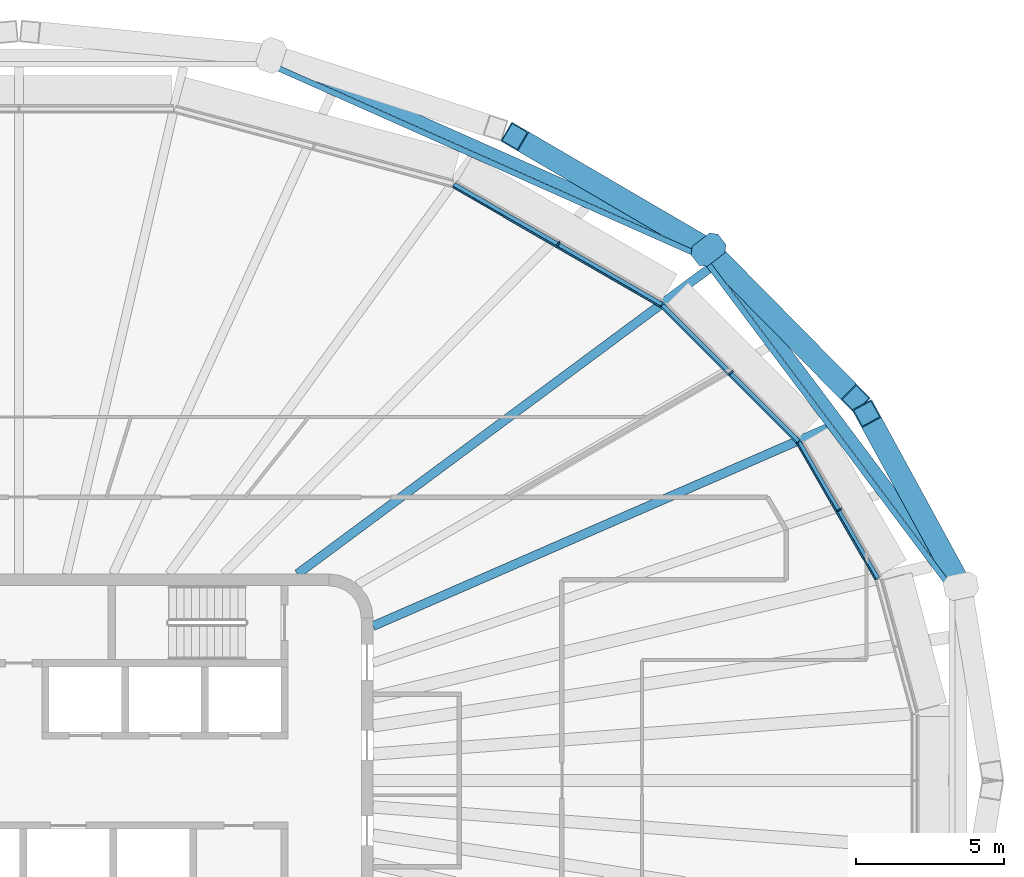
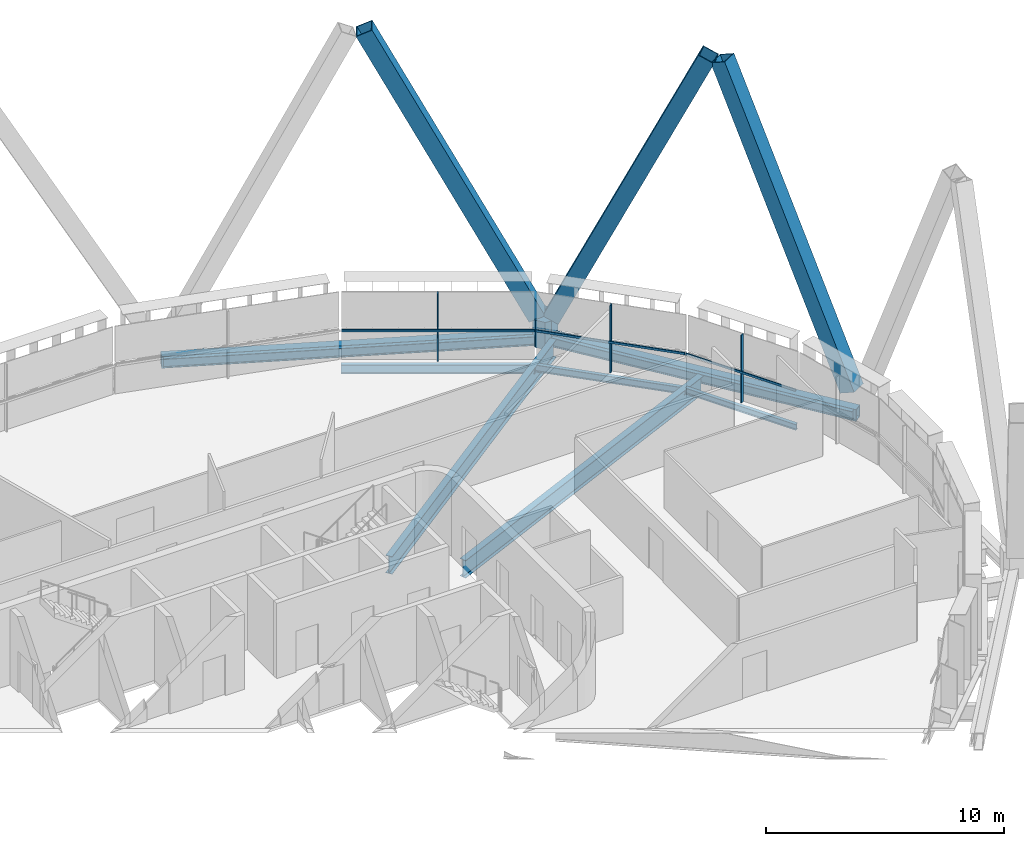
# One storey, part 10 of 22: 10 members, 9 beams, 3 elements without a shape of their own.
"""IFC4 building model written with IfcOpenShell, lengths in metres."""

from ifc_helpers import new_model, si_unit, direction, frame, origin, origin_2d, place, context, subcontext, project, spatial, polyline, rectangle, hollow_rectangle, i_section, outline, extrude, material, layer, layer_set, material_profile, profile_set, type_object, element, aggregate, save


model = new_model("IFC4")

# Units and contexts
model_context = context("Model", 3, precision=1e-05, world=origin(), true_north=direction((0.0, 1.0)))
body_context = subcontext(model_context, "Body", "Model", "MODEL_VIEW")
ifc_project = project(units=[si_unit("LENGTHUNIT", "METRE"), si_unit("AREAUNIT", "SQUARE_METRE"), si_unit("VOLUMEUNIT", "CUBIC_METRE"), si_unit("PLANEANGLEUNIT", "RADIAN"), si_unit("MASSUNIT", "GRAM", prefix="KILO")], contexts=[model_context])

# Site, building, storey
site_placement = place(None, origin())
site = spatial("IfcSite", under=ifc_project, at=site_placement, CompositionType="ELEMENT")
building_placement = place(site_placement, origin())
building = spatial("IfcBuilding", under=site, at=building_placement, Name="Sahrelin Media Tower", CompositionType="ELEMENT")
storey_placement = place(building_placement, frame((0.0, 0.0, 233.60009765625)))
storey = spatial("IfcBuildingStorey", under=building, at=storey_placement, Name="L50", CompositionType="ELEMENT", Elevation=233.60009765625)

# Members
ifc_material_1 = material(Name="Steel S460", Category="steel")
ifc_material_profile_1 = material_profile(ifc_material_1, hollow_rectangle(XDim=0.75, YDim=0.75, WallThickness=0.0400390625, at=origin_2d()), Name="Diagrid diagonal DG6")
ifc_profile_set_1 = profile_set([ifc_material_profile_1], Name="Steel S460")
member_type_1 = type_object("IfcMemberType", Name="Diagrid diagonal DG6", PredefinedType="BRACE", material=ifc_profile_set_1)
member_1_placement = place(storey_placement, frame((31.772216796875, 6.850341796875, 0.699951171875), z_axis=(-0.191358854383, 0.350523060937, 0.916796254683), x_axis=(-0.877722398999, -0.47916947972, 0.0)))
element("IfcMember", 1, at=member_1_placement, inside=storey, type_object=member_type_1, Name="Diagrid diagonal D11-01", PredefinedType="BRACE", context=body_context, shape_type="SweptSolid", body=[
    extrude(hollow_rectangle(XDim=0.75, YDim=0.75, WallThickness=0.0400390625, at=origin_2d()), origin(), (0.0, 0.0, 1.0), 15.9248046875),
])
member_2_placement = place(storey_placement, frame((23.59375, 17.75341796875, 0.699951171875), z_axis=(0.295554032604, -0.299619341613, 0.90712516443), x_axis=(0.711920039863, 0.70226053345, 0.0)))
element("IfcMember", 2, at=member_2_placement, inside=storey, type_object=member_type_1, Name="Diagrid diagonal D11-02", PredefinedType="BRACE", context=body_context, shape_type="SweptSolid", body=[
    extrude(hollow_rectangle(XDim=0.75, YDim=0.75, WallThickness=0.0400390625, at=origin_2d()), origin(), (0.0, 0.0, 1.0), 16.0947265625),
])
member_3_placement = place(storey_placement, frame((23.065185546875, 18.159912109375, 0.699951171875), z_axis=(-0.384260974099, 0.22458774364, 0.895490842606), x_axis=(-0.504600914785, -0.863352718649, 0.0)))
element("IfcMember", 3, at=member_3_placement, inside=storey, type_object=member_type_1, Name="Diagrid diagonal D11-03", PredefinedType="BRACE", context=body_context, shape_type="SweptSolid", body=[
    extrude(hollow_rectangle(XDim=0.75, YDim=0.75, WallThickness=0.0400390625, at=origin_2d()), origin(), (0.0, 0.0, 1.0), 16.3037109375),
])
ifc_material_profile_2 = material_profile(ifc_material_1, outline(polyline([(0.375, -0.425048828125), (0.574951171875, -0.22509765625), (0.574951171875, 0.22509765625), (0.375, 0.425048828125), (-0.375, 0.425048828125), (-0.574951171875, 0.22509765625), (-0.574951171875, -0.22509765625), (-0.375, -0.425048828125), (0.375, -0.425048828125)])), Name="Diagrid node block 1150")
ifc_profile_set_2 = profile_set([ifc_material_profile_2], Name="Steel S460")
member_type_2 = type_object("IfcMemberType", Name="Diagrid node block 1150", PredefinedType="USERDEFINED", material=ifc_profile_set_2)
member_4_placement = place(storey_placement, frame((23.36572265625, 17.984619140625, -0.7001953125), z_axis=(0.0, 0.0, 1.0), x_axis=(0.792445093645, 0.609943254376, 0.0)))
element("IfcMember", 4, at=member_4_placement, inside=storey, type_object=member_type_2, Name="Diagrid node N11-01", ObjectType="NODE", PredefinedType="USERDEFINED", context=body_context, shape_type="SweptSolid", body=[
    extrude(outline(polyline([(0.375, -0.425048828125), (0.574951171875, -0.22509765625), (0.574951171875, 0.22509765625), (0.375, 0.425048828125), (-0.375, 0.425048828125), (-0.574951171875, 0.22509765625), (-0.574951171875, -0.22509765625), (-0.375, -0.425048828125), (0.375, -0.425048828125)])), origin(), (0.0, 0.0, 1.0), 1.400146484375),
])

# Beams
ifc_material_profile_3 = material_profile(ifc_material_1, hollow_rectangle(XDim=0.39990234375, YDim=0.60009765625, WallThickness=0.030029296875, at=origin_2d()), Name="Diagrid ring beam RB1")
ifc_profile_set_3 = profile_set([ifc_material_profile_3], Name="Steel S460")
beam_type_1 = type_object("IfcBeamType", Name="Diagrid ring beam RB1", PredefinedType="BEAM", material=ifc_profile_set_3)
beam_1_placement = place(storey_placement, frame((31.918212890625, 6.582763671875, -0.4501953125), z_axis=(-0.600049330653, 0.799962999634, 0.0), x_axis=(-0.799962999634, -0.600049330653, 0.0)))
element("IfcBeam", 5, at=beam_1_placement, inside=storey, type_object=beam_type_1, Name="Diagrid ring beam RB11-00", PredefinedType="BEAM", context=body_context, shape_type="SweptSolid", body=[
    extrude(hollow_rectangle(XDim=0.39990234375, YDim=0.60009765625, WallThickness=0.030029296875, at=origin_2d()), origin(), (0.0, 0.0, 1.0), 14.2529296875),
])
beam_2_placement = place(storey_placement, frame((23.36572265625, 17.984619140625, -0.4501953125), z_axis=(-0.91383204297, 0.406092350632, 0.0), x_axis=(-0.406092350632, -0.91383204297, 0.0)))
element("IfcBeam", 6, at=beam_2_placement, inside=storey, type_object=beam_type_1, Name="Diagrid ring beam RB11-01", PredefinedType="BEAM", context=body_context, shape_type="SweptSolid", body=[
    extrude(hollow_rectangle(XDim=0.39990234375, YDim=0.60009765625, WallThickness=0.030029296875, at=origin_2d()), origin(), (0.0, 0.0, 1.0), 16.2099609375),
])
ifc_material_2 = material(Name="Steel S355", Category="steel")
ifc_material_profile_4 = material_profile(ifc_material_2, i_section(OverallWidth=0.1650390625, OverallDepth=0.303466796875, WebThickness=0.006103515625, FlangeThickness=0.01025390625, FilletRadius=0.0087890625, at=origin_2d()), Name="UB 305x165x40")
ifc_profile_set_4 = profile_set([ifc_material_profile_4], Name="Steel S355")
beam_type_2 = type_object("IfcBeamType", Name="Edge beam EB2", PredefinedType="BEAM", material=ifc_profile_set_4)
beam_3_placement = place(storey_placement, frame((26.420654296875, 11.463134765625, -0.3017578125), z_axis=(0.500026652407, -0.866010015463, 0.0), x_axis=(0.866010015463, 0.500026652407, 0.0)))
element("IfcBeam", 7, at=beam_3_placement, inside=storey, type_object=beam_type_2, Name="Edge beam L50-23", PredefinedType="BEAM", context=body_context, shape_type="SweptSolid", body=[
    extrude(i_section(OverallWidth=0.1650390625, OverallDepth=0.303466796875, WebThickness=0.006103515625, FlangeThickness=0.01025390625, FilletRadius=0.0087890625, at=origin_2d()), origin(), (0.0, 0.0, 1.0), 5.349365234375),
])
ifc_material_profile_5 = material_profile(ifc_material_2, i_section(OverallWidth=0.17138671875, OverallDepth=0.35498046875, WebThickness=0.00732421875, FlangeThickness=0.011474609375, FilletRadius=0.01025390625, at=origin_2d()), Name="UB 356x171x51")
ifc_profile_set_5 = profile_set([ifc_material_profile_5], Name="Steel S355")
beam_type_3 = type_object("IfcBeamType", Name="Edge beam EB3", PredefinedType="BEAM", material=ifc_profile_set_5)
beam_4_placement = place(storey_placement, frame((21.797119140625, 16.09228515625, -0.32763671875), z_axis=(0.707106781187, -0.707106781187, 0.0), x_axis=(0.707106781187, 0.707106781187, 0.0)))
element("IfcBeam", 8, at=beam_4_placement, inside=storey, type_object=beam_type_3, Name="Edge beam L50-22", PredefinedType="BEAM", context=body_context, shape_type="SweptSolid", body=[
    extrude(i_section(OverallWidth=0.17138671875, OverallDepth=0.35498046875, WebThickness=0.00732421875, FlangeThickness=0.011474609375, FilletRadius=0.01025390625, at=origin_2d()), origin(), (0.0, 0.0, 1.0), 6.51416015625),
])
ifc_material_profile_6 = material_profile(ifc_material_2, i_section(OverallWidth=0.1904296875, OverallDepth=0.45703125, WebThickness=0.009033203125, FlangeThickness=0.014404296875, FilletRadius=0.01025390625, at=origin_2d()), Name="UB 457x191x74")
ifc_profile_set_6 = profile_set([ifc_material_profile_6], Name="Steel S355")
beam_type_4 = type_object("IfcBeamType", Name="Edge beam EB5", PredefinedType="BEAM", material=ifc_profile_set_6)
beam_5_placement = place(storey_placement, frame((14.728515625, 20.177734375, -0.378662109375), z_axis=(0.866022173658, -0.500005594701, 0.0), x_axis=(0.500005594701, 0.866022173658, 0.0)))
element("IfcBeam", 9, at=beam_5_placement, inside=storey, type_object=beam_type_4, Name="Edge beam L50-21", PredefinedType="BEAM", context=body_context, shape_type="SweptSolid", body=[
    extrude(i_section(OverallWidth=0.1904296875, OverallDepth=0.45703125, WebThickness=0.009033203125, FlangeThickness=0.014404296875, FilletRadius=0.01025390625, at=origin_2d()), origin(), (0.0, 0.0, 1.0), 8.1357421875),
])

# Curtain wall, member
ifc_material_3 = material(Name="Champagne anodised aluminium 6063-T6", Category="aluminium")
ifc_layer = layer(ifc_material_3, 0.14990234375)
ifc_layer_set = layer_set([ifc_layer], Name="Tower ribbon curtain wall")
curtain_wall_type = type_object("IfcCurtainWallType", Name="Tower ribbon curtain wall", PredefinedType="NOTDEFINED", material=ifc_layer_set)
curtain_wall_1_placement = place(storey_placement, frame((27.887939453125, 9.2216796875, 0.0), z_axis=(0.0, 0.0, 1.0), x_axis=(1.0, 0.0, 0.0)))
curtain_wall_1 = element("IfcCurtainWall", 10, at=curtain_wall_1_placement, inside=storey, type_object=curtain_wall_type, Name="L50:CW:L50-02", PredefinedType="NOTDEFINED")
ifc_material_profile_7 = material_profile(ifc_material_3, rectangle(XDim=0.06005859375, YDim=0.175048828125, at=origin_2d()), Name="Mullion 60x175")
ifc_profile_set_7 = profile_set([ifc_material_profile_7], Name="Champagne anodised aluminium 6063-T6")
member_type_3 = type_object("IfcMemberType", Name="Mullion 60x175 CW1B", PredefinedType="MULLION", material=ifc_profile_set_7)
member_5_placement = place(storey_placement, frame((27.794921875, 9.168212890625, 0.0), z_axis=(0.0, 0.0, 1.0), x_axis=(-0.500001511499, 0.866024531118, 0.0)))
member_5 = element("IfcMember", 11, at=member_5_placement, type_object=member_type_3, Name="L50:CWM:L50-02", PredefinedType="MULLION", context=body_context, shape_type="SweptSolid", body=[
    extrude(rectangle(XDim=0.06005859375, YDim=0.175048828125, at=origin_2d()), origin(), (0.0, 0.0, 1.0), 3.448486328125),
])

curtain_wall_2_placement = place(storey_placement, frame((24.206298828125, 13.895263671875, 0.0), z_axis=(0.0, 0.0, 1.0), x_axis=(1.0, 0.0, 0.0)))
curtain_wall_2 = element("IfcCurtainWall", 12, at=curtain_wall_2_placement, inside=storey, type_object=curtain_wall_type, Name="L50:CW:L50-03", PredefinedType="NOTDEFINED")
member_6_placement = place(storey_placement, frame((24.130126953125, 13.819091796875, 0.0), z_axis=(0.0, 0.0, 1.0), x_axis=(-0.707099376343, 0.707114185953, 0.0)))
member_6 = element("IfcMember", 13, at=member_6_placement, type_object=member_type_3, Name="L50:CWM:L50-03", PredefinedType="MULLION", context=body_context, shape_type="SweptSolid", body=[
    extrude(rectangle(XDim=0.06005859375, YDim=0.175048828125, at=origin_2d()), origin(), (0.0, 0.0, 1.0), 3.448486328125),
])

curtain_wall_3_placement = place(storey_placement, frame((18.326416015625, 18.273681640625, 0.0), z_axis=(0.0, 0.0, 1.0), x_axis=(1.0, 0.0, 0.0)))
curtain_wall_3 = element("IfcCurtainWall", 14, at=curtain_wall_3_placement, inside=storey, type_object=curtain_wall_type, Name="L50:CW:L50-04", PredefinedType="NOTDEFINED")
member_7_placement = place(storey_placement, frame((18.272705078125, 18.1806640625, 0.0), z_axis=(0.0, 0.0, 1.0), x_axis=(-0.866027149108, 0.499996976998, 0.0)))
member_7 = element("IfcMember", 15, at=member_7_placement, type_object=member_type_3, Name="L50:CWM:L50-04", PredefinedType="MULLION", context=body_context, shape_type="SweptSolid", body=[
    extrude(rectangle(XDim=0.06005859375, YDim=0.175048828125, at=origin_2d()), origin(), (0.0, 0.0, 1.0), 3.448486328125),
])

# Beams
ifc_material_profile_8 = material_profile(ifc_material_2, i_section(OverallWidth=0.30322265625, OverallDepth=0.903076171875, WebThickness=0.01513671875, FlangeThickness=0.020263671875, FilletRadius=0.01904296875, at=origin_2d()), Name="UB 914x305x201")
ifc_profile_set_8 = profile_set([ifc_material_profile_8], Name="Steel S355")
beam_type_5 = type_object("IfcBeamType", Name="Radial primary beam PB11", PredefinedType="BEAM", material=ifc_profile_set_8)
beam_6_placement = place(storey_placement, frame((12.0, 5.231689453125, -0.6015625), z_axis=(0.91667085004, 0.399643031575, 0.0), x_axis=(-0.399643031575, 0.91667085004, 0.0)))
element("IfcBeam", 16, at=beam_6_placement, inside=storey, type_object=beam_type_5, Name="Radial beam L50-03", PredefinedType="BEAM", context=body_context, shape_type="SweptSolid", body=[
    extrude(i_section(OverallWidth=0.30322265625, OverallDepth=0.903076171875, WebThickness=0.01513671875, FlangeThickness=0.020263671875, FilletRadius=0.01904296875, at=origin_2d()), origin(), (0.0, 0.0, 1.0), 16.80078125),
])
beam_7_placement = place(storey_placement, frame((9.440673828125, 7.0, -0.6015625), z_axis=(0.803276687883, 0.595606046564, 0.0), x_axis=(-0.595606046564, 0.803276687883, 0.0)))
element("IfcBeam", 17, at=beam_7_placement, inside=storey, type_object=beam_type_5, Name="Radial beam L50-04", PredefinedType="BEAM", context=body_context, shape_type="SweptSolid", body=[
    extrude(i_section(OverallWidth=0.30322265625, OverallDepth=0.903076171875, WebThickness=0.01513671875, FlangeThickness=0.020263671875, FilletRadius=0.01904296875, at=origin_2d()), origin(), (0.0, 0.0, 1.0), 17.335693359375),
])
ifc_material_profile_9 = material_profile(ifc_material_2, i_section(OverallWidth=0.1904296875, OverallDepth=0.45703125, WebThickness=0.009033203125, FlangeThickness=0.014404296875, FilletRadius=0.01025390625, at=origin_2d()), Name="UB 457x191x74")
ifc_profile_set_9 = profile_set([ifc_material_profile_9], Name="Steel S355")
beam_type_6 = type_object("IfcBeamType", Name="Tie chord TC5", PredefinedType="BEAM", material=ifc_profile_set_9)
beam_8_placement = place(storey_placement, frame((8.48876953125, 24.26708984375, -0.378662109375), z_axis=(0.913832223904, -0.406091943474, 0.0), x_axis=(0.406091943474, 0.913832223904, 0.0)))
element("IfcBeam", 18, at=beam_8_placement, inside=storey, type_object=beam_type_6, Name="Tie chord L50-11", PredefinedType="BEAM", context=body_context, shape_type="SweptSolid", body=[
    extrude(i_section(OverallWidth=0.1904296875, OverallDepth=0.45703125, WebThickness=0.009033203125, FlangeThickness=0.014404296875, FilletRadius=0.01025390625, at=origin_2d()), origin(), (0.0, 0.0, 1.0), 16.068115234375),
])
beam_9_placement = place(storey_placement, frame((23.17236328125, 17.741943359375, -0.378662109375), z_axis=(0.600049955292, -0.799962531094, 0.0), x_axis=(0.799962531094, 0.600049955292, 0.0)))
element("IfcBeam", 19, at=beam_9_placement, inside=storey, type_object=beam_type_6, Name="Tie chord L50-12", PredefinedType="BEAM", context=body_context, shape_type="SweptSolid", body=[
    extrude(i_section(OverallWidth=0.1904296875, OverallDepth=0.45703125, WebThickness=0.009033203125, FlangeThickness=0.014404296875, FilletRadius=0.01025390625, at=origin_2d()), origin(), (0.0, 0.0, 1.0), 14.07470703125),
])

# Member
ifc_material_profile_10 = material_profile(ifc_material_3, rectangle(XDim=0.050048828125, YDim=0.110107421875, at=origin_2d()), Name="Transom 50x110")
ifc_profile_set_10 = profile_set([ifc_material_profile_10], Name="Champagne anodised aluminium 6063-T6")
member_type_4 = type_object("IfcMemberType", Name="Transom 50x110 CW1B", PredefinedType="USERDEFINED", material=ifc_profile_set_10)
member_8_placement = place(storey_placement, frame((29.027099609375, 6.80908203125, 1.599853515625), z_axis=(-0.500029766052, 0.866008217664, 0.0), x_axis=(-0.866008217664, -0.500029766052, 0.0)))
member_8 = element("IfcMember", 20, at=member_8_placement, type_object=member_type_4, Name="L50:CWT:L50-02", ObjectType="TRANSOM", PredefinedType="USERDEFINED", context=body_context, shape_type="SweptSolid", body=[
    extrude(rectangle(XDim=0.050048828125, YDim=0.110107421875, at=origin_2d()), origin(), (0.0, 0.0, 1.0), 5.318115234375),
])

aggregate(curtain_wall_1, [member_5, member_8])

member_9_placement = place(storey_placement, frame((26.342529296875, 11.44775390625, 1.599853515625), z_axis=(-0.707087950365, 0.707125611507, 0.0), x_axis=(-0.707125611507, -0.707087950365, 0.0)))
member_9 = element("IfcMember", 21, at=member_9_placement, type_object=member_type_4, Name="L50:CWT:L50-03", ObjectType="TRANSOM", PredefinedType="USERDEFINED", context=body_context, shape_type="SweptSolid", body=[
    extrude(rectangle(XDim=0.050048828125, YDim=0.110107421875, at=origin_2d()), origin(), (0.0, 0.0, 1.0), 6.482666015625),
])

aggregate(curtain_wall_2, [member_6, member_9])

member_10_placement = place(storey_placement, frame((21.7255859375, 16.05712890625, 1.599853515625), z_axis=(-0.866034085284, 0.4999849629, 0.0), x_axis=(-0.4999849629, -0.866034085284, 0.0)))
member_10 = element("IfcMember", 22, at=member_10_placement, type_object=member_type_4, Name="L50:CWT:L50-04", ObjectType="TRANSOM", PredefinedType="USERDEFINED", context=body_context, shape_type="SweptSolid", body=[
    extrude(rectangle(XDim=0.050048828125, YDim=0.110107421875, at=origin_2d()), origin(), (0.0, 0.0, 1.0), 8.104248046875),
])

aggregate(curtain_wall_3, [member_7, member_10])

save(model, "model.ifc")
